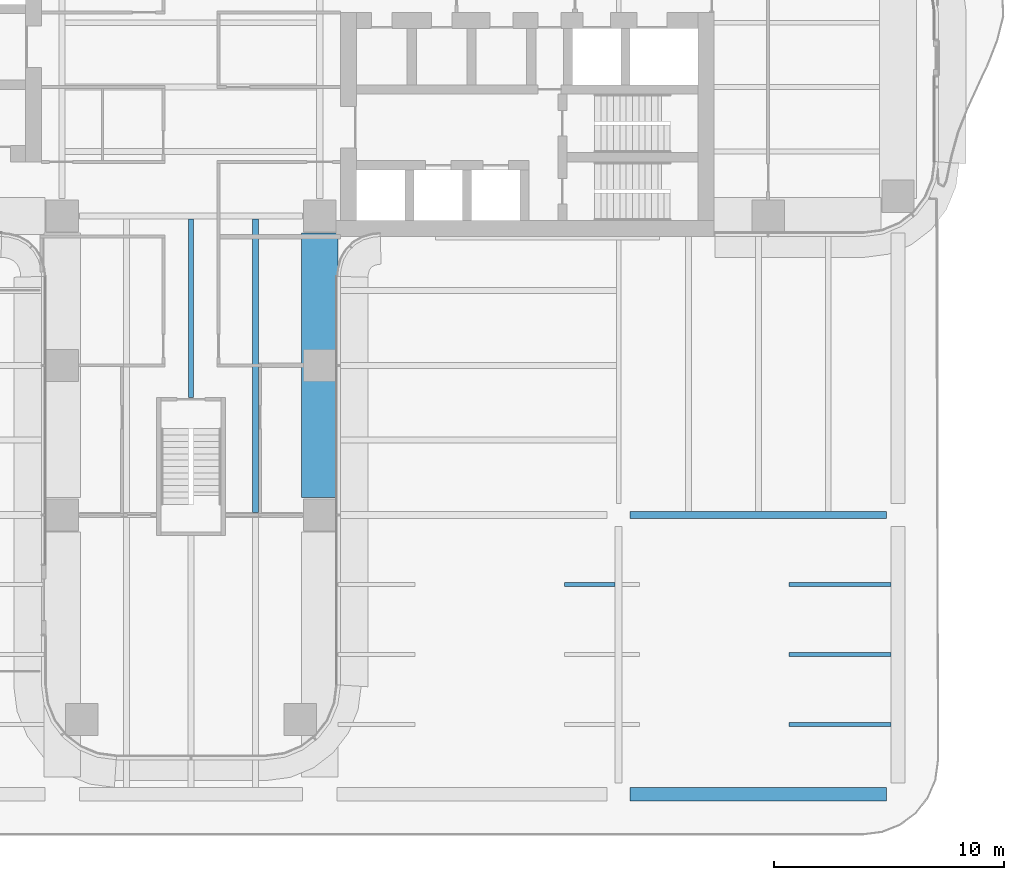
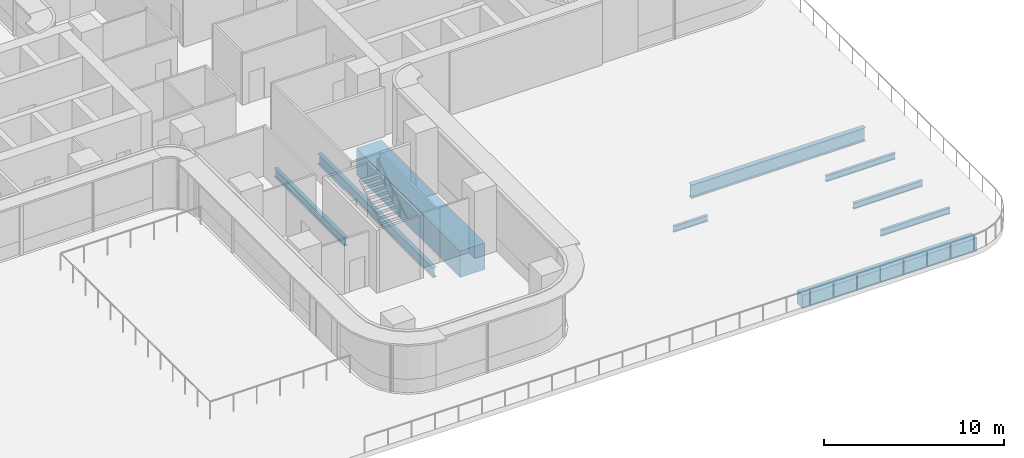
# One storey, part 6 of 29: 9 beams.
"""IFC4 building model written with IfcOpenShell, lengths in metres."""

from ifc_helpers import new_model, si_unit, direction, frame, origin, origin_2d, place, context, subcontext, project, spatial, rectangle, i_section, extrude, source, transform, mapped, material, material_profile, profile_set, type_object, element, save


model = new_model("IFC4")

# Units and contexts
model_context = context("Model", 3, precision=1e-05, world=origin(), true_north=direction((0.0, 1.0)))
body_context = subcontext(model_context, "Body", "Model", "MODEL_VIEW")
ifc_project = project(units=[si_unit("LENGTHUNIT", "METRE"), si_unit("AREAUNIT", "SQUARE_METRE"), si_unit("VOLUMEUNIT", "CUBIC_METRE"), si_unit("PLANEANGLEUNIT", "RADIAN"), si_unit("MASSUNIT", "GRAM", prefix="KILO")], contexts=[model_context])

# Site, building, storey
site_placement = place(None, origin())
site = spatial("IfcSite", under=ifc_project, at=site_placement, CompositionType="ELEMENT")
building_placement = place(site_placement, origin())
building = spatial("IfcBuilding", under=site, at=building_placement, Name="Trellis Farm Tower", CompositionType="ELEMENT")
storey_placement = place(building_placement, frame((0.0, 0.0, 34.0)))
storey = spatial("IfcBuildingStorey", under=building, at=storey_placement, Name="L06", CompositionType="ELEMENT", Elevation=34.0)

# Beams
ifc_material_1 = material(Name="Steel S355", Category="steel")
ifc_material_profile_1 = material_profile(ifc_material_1, i_section(OverallWidth=0.2275390625, OverallDepth=0.6025390625, WebThickness=0.010498046875, FlangeThickness=0.014892578125, FilletRadius=0.0126953125, at=origin_2d()), Name="UB 610x229x101")
ifc_profile_set_1 = profile_set([ifc_material_profile_1], Name="Steel S355")
beam_type_1 = type_object("IfcBeamType", Name="UB 610x229x101 joist", PredefinedType="JOIST", material=ifc_profile_set_1)
shared_shape_1 = source(origin(), body_context, "Body", "SweptSolid", [
    extrude(i_section(OverallWidth=0.2275390625, OverallDepth=0.6025390625, WebThickness=0.010498046875, FlangeThickness=0.014892578125, FilletRadius=0.0126953125, at=origin_2d()), origin(), (0.0, 0.0, 1.0), 7.7666015625),
])
beam_1_placement = place(storey_placement, frame((0.0, -13.5, -0.6513671875), z_axis=(0.0, 1.0, 0.0), x_axis=(-1.0, 0.0, 0.0)))
element("IfcBeam", 1, at=beam_1_placement, inside=storey, type_object=beam_type_1, Name="Floor beam", PredefinedType="JOIST", context=body_context, shape_type="MappedRepresentation", body=[
    mapped(shared_shape_1, transform((0.0, 0.0, 0.0))),
])
ifc_material_profile_2 = material_profile(ifc_material_1, i_section(OverallWidth=0.177978515625, OverallDepth=0.406494140625, WebThickness=0.0078125, FlangeThickness=0.0126953125, FilletRadius=0.01025390625, at=origin_2d()), Name="UB 406x178x60")
ifc_profile_set_2 = profile_set([ifc_material_profile_2], Name="Steel S355")
beam_type_2 = type_object("IfcBeamType", Name="UB 406x178x60 joist", PredefinedType="JOIST", material=ifc_profile_set_2)
shared_shape_2 = source(origin(), body_context, "Body", "SweptSolid", [
    extrude(i_section(OverallWidth=0.177978515625, OverallDepth=0.406494140625, WebThickness=0.0078125, FlangeThickness=0.0126953125, FilletRadius=0.01025390625, at=origin_2d()), origin(), (0.0, 0.0, 1.0), 2.197265625),
])
beam_2_placement = place(storey_placement, frame((16.25, -21.637451171875, -0.55322265625), z_axis=(1.0, 0.0, 0.0), x_axis=(0.0, 1.0, 0.0)))
element("IfcBeam", 2, at=beam_2_placement, inside=storey, type_object=beam_type_2, Name="Floor beam", PredefinedType="JOIST", context=body_context, shape_type="MappedRepresentation", body=[
    mapped(shared_shape_2, transform((0.0, 0.0, 0.0))),
])
ifc_material_profile_3 = material_profile(ifc_material_1, i_section(OverallWidth=0.253662109375, OverallDepth=0.68359375, WebThickness=0.012451171875, FlangeThickness=0.021728515625, FilletRadius=0.01513671875, at=origin_2d()), Name="UB 686x254x140")
ifc_profile_set_3 = profile_set([ifc_material_profile_3], Name="Steel S355")
beam_type_3 = type_object("IfcBeamType", Name="UB 686x254x140 joist", PredefinedType="JOIST", material=ifc_profile_set_3)
shared_shape_3 = source(origin(), body_context, "Body", "SweptSolid", [
    extrude(i_section(OverallWidth=0.253662109375, OverallDepth=0.68359375, WebThickness=0.012451171875, FlangeThickness=0.021728515625, FilletRadius=0.01513671875, at=origin_2d()), origin(), (0.0, 0.0, 1.0), 12.761962890625),
])
beam_3_placement = place(storey_placement, frame((2.800048828125, -18.495361328125, -0.691650390625), z_axis=(0.0, 1.0, 0.0), x_axis=(-1.0, 0.0, 0.0)))
element("IfcBeam", 3, at=beam_3_placement, inside=storey, type_object=beam_type_3, Name="Floor beam", PredefinedType="JOIST", context=body_context, shape_type="MappedRepresentation", body=[
    mapped(shared_shape_3, transform((0.0, 0.0, 0.0))),
])
ifc_material_profile_4 = material_profile(ifc_material_1, i_section(OverallWidth=0.305419921875, OverallDepth=0.91845703125, WebThickness=0.017333984375, FlangeThickness=0.02783203125, FilletRadius=0.01904296875, at=origin_2d()), Name="UB 914x305x253")
ifc_profile_set_4 = profile_set([ifc_material_profile_4], Name="Steel S355")
beam_type_4 = type_object("IfcBeamType", Name="UB 914x305x253", PredefinedType="BEAM", material=ifc_profile_set_4)
shared_shape_4 = source(origin(), body_context, "Body", "SweptSolid", [
    extrude(i_section(OverallWidth=0.305419921875, OverallDepth=0.91845703125, WebThickness=0.017333984375, FlangeThickness=0.02783203125, FilletRadius=0.01904296875, at=origin_2d()), origin(), (0.0, 0.0, 1.0), 11.14990234375),
])
beam_4_placement = place(storey_placement, frame((19.10009765625, -18.60009765625, -0.80908203125), z_axis=(1.0, 0.0, 0.0), x_axis=(0.0, 1.0, 0.0)))
element("IfcBeam", 4, at=beam_4_placement, inside=storey, type_object=beam_type_4, Name="Girder", PredefinedType="BEAM", context=body_context, shape_type="MappedRepresentation", body=[
    mapped(shared_shape_4, transform((0.0, 0.0, 0.0))),
])
ifc_material_2 = material(Name="Concrete C60/75", Category="concrete")
ifc_material_profile_5 = material_profile(ifc_material_2, rectangle(XDim=0.60009765625, YDim=0.89990234375, at=origin_2d()), Name="RC spandrel beam 600x900 C60/75")
ifc_profile_set_5 = profile_set([ifc_material_profile_5], Name="Concrete C60/75")
beam_type_5 = type_object("IfcBeamType", Name="RC spandrel beam 600x900 C60/75", PredefinedType="SPANDREL", material=ifc_profile_set_5)
shared_shape_5 = source(origin(), body_context, "Body", "SweptSolid", [
    extrude(rectangle(XDim=0.60009765625, YDim=0.89990234375, at=origin_2d()), origin(), (0.0, 0.0, 1.0), 11.14990234375),
])
beam_5_placement = place(storey_placement, frame((19.10009765625, -30.75, -0.800048828125), z_axis=(1.0, 0.0, 0.0), x_axis=(0.0, 1.0, 0.0)))
element("IfcBeam", 5, at=beam_5_placement, inside=storey, type_object=beam_type_5, Name="Girder", PredefinedType="SPANDREL", context=body_context, shape_type="MappedRepresentation", body=[
    mapped(shared_shape_5, transform((0.0, 0.0, 0.0))),
])
ifc_material_3 = material(Name="Concrete C80/95", Category="concrete")
ifc_material_profile_6 = material_profile(ifc_material_3, rectangle(XDim=1.60009765625, YDim=1.800048828125, at=origin_2d()), Name="RC transfer beam 1600x1800 C80/95")
ifc_profile_set_6 = profile_set([ifc_material_profile_6], Name="Concrete C80/95")
beam_type_6 = type_object("IfcBeamType", Name="RC transfer beam 1600x1800 C80/95", PredefinedType="BEAM", material=ifc_profile_set_6)
shared_shape_6 = source(origin(), body_context, "Body", "SweptSolid", [
    extrude(rectangle(XDim=1.60009765625, YDim=1.800048828125, at=origin_2d()), origin(), (0.0, 0.0, 1.0), 11.5),
])
beam_6_placement = place(storey_placement, frame((5.60009765625, -17.85009765625, -1.25), z_axis=(0.0, 1.0, 0.0), x_axis=(-1.0, 0.0, 0.0)))
element("IfcBeam", 6, at=beam_6_placement, inside=storey, type_object=beam_type_6, Name="Transfer girder", PredefinedType="BEAM", context=body_context, shape_type="MappedRepresentation", body=[
    mapped(shared_shape_6, transform((0.0, 0.0, 0.0))),
])
shared_shape_7 = source(origin(), body_context, "Body", "SweptSolid", [
    extrude(i_section(OverallWidth=0.177978515625, OverallDepth=0.406494140625, WebThickness=0.0078125, FlangeThickness=0.0126953125, FilletRadius=0.01025390625, at=origin_2d()), origin(), (0.0, 0.0, 1.0), 4.449951171875),
])
for number, where, z_axis, x_axis, name in (
    (7, (26.0, -27.71240234375, -0.55322265625), (1.0, 0.0, 0.0), (0.0, 1.0, 0.0), "Floor beam"),
    (8, (26.0, -24.675048828125, -0.55322265625), (1.0, 0.0, 0.0), (0.0, 1.0, 0.0), "Floor beam"),
    (9, (26.0, -21.637451171875, -0.55322265625), (1.0, 0.0, 0.0), (0.0, 1.0, 0.0), "Floor beam"),
):
    element("IfcBeam", number, at=place(storey_placement, frame(where, z_axis=z_axis, x_axis=x_axis)), inside=storey, type_object=beam_type_2, Name=name, PredefinedType="JOIST", context=body_context, shape_type="MappedRepresentation", body=[
        mapped(shared_shape_7, transform((0.0, 0.0, 0.0))),
    ])

save(model, "model.ifc")
